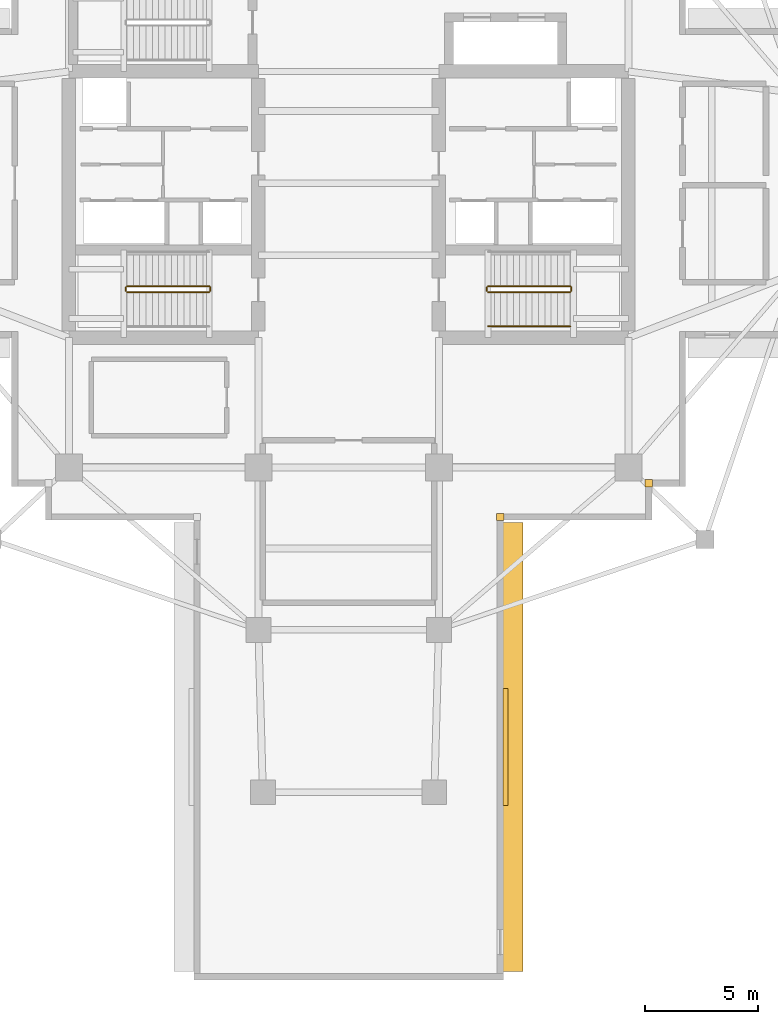
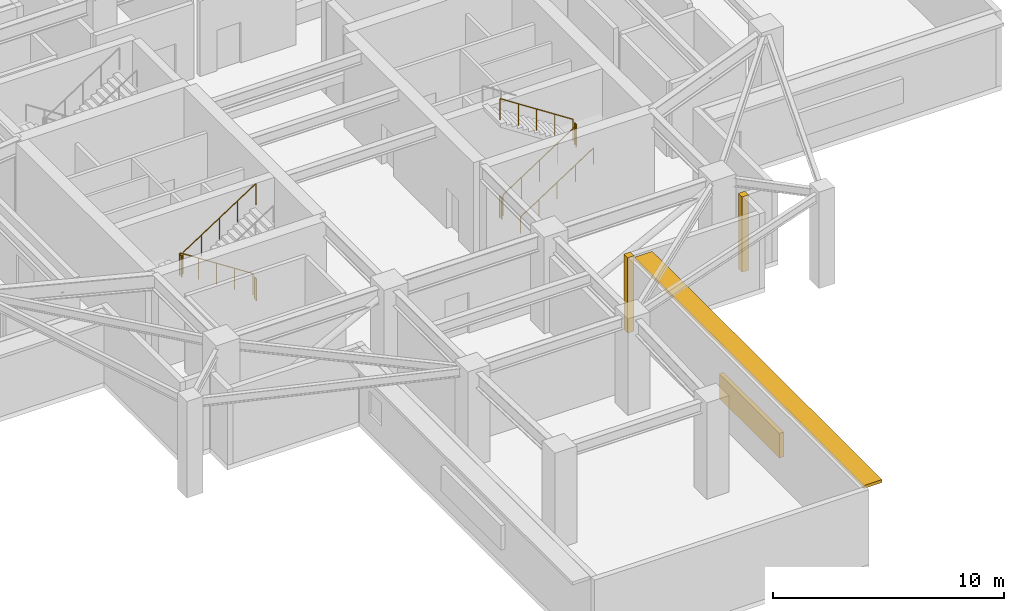
# One storey, part 8 of 11: 9 railings, 2 coverings, 2 shading devices.
"""IFC4 building model written with IfcOpenShell, lengths in metres."""

from ifc_helpers import new_model, si_unit, direction, frame, origin, origin_2d, place, context, subcontext, project, spatial, rectangle, circle, extrude, material, layer, layer_set, type_object, element, save


model = new_model("IFC4")

# Units and contexts
model_context = context("Model", 3, precision=1e-05, world=origin(), true_north=direction((0.0, 1.0)))
body_context = subcontext(model_context, "Body", "Model", "MODEL_VIEW")
ifc_project = project(units=[si_unit("LENGTHUNIT", "METRE"), si_unit("AREAUNIT", "SQUARE_METRE"), si_unit("VOLUMEUNIT", "CUBIC_METRE"), si_unit("PLANEANGLEUNIT", "RADIAN"), si_unit("MASSUNIT", "GRAM", prefix="KILO")], contexts=[model_context])

# Site, building, storey
site_placement = place(None, origin())
site = spatial("IfcSite", under=ifc_project, at=site_placement, CompositionType="ELEMENT")
building_placement = place(site_placement, origin())
building = spatial("IfcBuilding", under=site, at=building_placement, Name="Qingluan Cross Belvedere", CompositionType="ELEMENT")
storey_placement = place(building_placement, frame((0.0, 0.0, 143.699951171875)))
storey = spatial("IfcBuildingStorey", under=building, at=storey_placement, Name="L36", CompositionType="ELEMENT", Elevation=143.699951171875)

# Coverings
ifc_material_1 = material(Name="Precast concrete C45", Category="concrete")
ifc_layer_1 = layer(ifc_material_1, 0.1201171875, Name="ConcreteSpandrelCladding_120")
ifc_layer_set_1 = layer_set([ifc_layer_1], Name="Precast concrete C45")
covering_type = type_object("IfcCoveringType", Name="ConcreteSpandrelCladding_120", PredefinedType="CLADDING", material=ifc_layer_set_1)
for number, where, z_axis, x_axis, name in (
    (1, (13.300048828125, -13.300048828125, 0.0), (0.0, 0.0, 1.0), (1.0, 0.0, 0.0), "Corner closure L36-SE1"),
    (2, (6.719970703125, -14.800048828125, 0.0), (0.0, 0.0, 1.0), (1.0, 0.0, 0.0), "Corner closure L36-SE2"),
):
    element("IfcCovering", number, at=place(storey_placement, frame(where, z_axis=z_axis, x_axis=x_axis)), inside=storey, type_object=covering_type, Name=name, PredefinedType="CLADDING", context=body_context, shape_type="SweptSolid", body=[
        extrude(rectangle(XDim=0.320068359375, YDim=0.320068359375, at=origin_2d()), origin(), (0.0, 0.0, 1.0), 3.97998046875),
    ])

# Shading devices
ifc_material_2 = material(Name="Precast concrete C45", Category="concrete")
ifc_layer_2 = layer(ifc_material_2, 0.159912109375, Name="ConcreteSunshadeBand_900")
ifc_layer_set_2 = layer_set([ifc_layer_2], Name="Precast concrete C45")
shading_device_type_1 = type_object("IfcShadingDeviceType", Name="ConcreteSunshadeBand_900", PredefinedType="USERDEFINED", material=ifc_layer_set_2)
shading_device_1_placement = place(storey_placement, frame((7.2900390625, -24.989990234375, 3.80029296875), z_axis=(0.0, 0.0, 1.0), x_axis=(0.0, 1.0, 0.0)))
element("IfcShadingDevice", 3, at=shading_device_1_placement, inside=storey, type_object=shading_device_type_1, Name="Concrete SUNSHADE L36-SB", ObjectType="SUNSHADE", PredefinedType="USERDEFINED", context=body_context, shape_type="SweptSolid", body=[
    extrude(rectangle(XDim=19.89990234375, YDim=0.89990234375, at=origin_2d()), origin(), (0.0, 0.0, 1.0), 0.159912109375),
])
ifc_material_3 = material(Name="Anodised aluminium acoustic louvre screen", Category="aluminium")
ifc_layer_3 = layer(ifc_material_3, 0.219970703125, Name="RefugeAcousticLouvre_Screen")
ifc_layer_set_3 = layer_set([ifc_layer_3], Name="Anodised aluminium acoustic louvre screen")
shading_device_type_2 = type_object("IfcShadingDeviceType", Name="RefugeAcousticLouvre_Screen", PredefinedType="JALOUSIE", material=ifc_layer_set_3)
shading_device_2_placement = place(storey_placement, frame((6.9599609375, -24.989990234375, 0.9501953125), z_axis=(0.0, 0.0, 1.0), x_axis=(0.0, 1.0, 0.0)))
element("IfcShadingDevice", 4, at=shading_device_2_placement, inside=storey, type_object=shading_device_type_2, Name="Plant acoustic louvre SCREEN L36-SB", PredefinedType="JALOUSIE", context=body_context, shape_type="SweptSolid", body=[
    extrude(rectangle(XDim=5.199951171875, YDim=0.219970703125, at=origin_2d()), origin(), (0.0, 0.0, 1.0), 1.300048828125),
])

# Railings
ifc_material_4 = material(Name="Brushed stainless steel tubular handrail", Category="steel")
railing_type_1 = type_object("IfcRailingType", Name="StairPitchHandrail_900", PredefinedType="HANDRAIL", material=ifc_material_4)
railing_1_placement = place(storey_placement, frame((6.179931640625, -6.35009765625, 0.18212890625)))
element("IfcRailing", 5, at=railing_1_placement, inside=storey, type_object=railing_type_1, Name="L36 ST2 stair handrail 1", PredefinedType="HANDRAIL", context=body_context, shape_type="SweptSolid", body=[
    extrude(circle(Radius=0.02392578125, at=origin_2d()), frame((0.0, 0.0, 0.8759765625), z_axis=(0.83825089185, 0.0, 0.545284735081), x_axis=(0.0, 1.0, 0.0)), (0.0, 0.0, 1.0), 4.342529296875),
    extrude(circle(Radius=0.02099609375, at=origin_2d()), origin(), (0.0, 0.0, 1.0), 0.851806640625),
    extrude(circle(Radius=0.02099609375, at=origin_2d()), frame((0.91015625, 0.0, 0.592041015625)), (0.0, 0.0, 1.0), 0.851806640625),
    extrude(circle(Radius=0.02099609375, at=origin_2d()), frame((1.820068359375, 0.0, 1.18408203125)), (0.0, 0.0, 1.0), 0.851806640625),
    extrude(circle(Radius=0.02099609375, at=origin_2d()), frame((2.72998046875, 0.0, 1.77587890625)), (0.0, 0.0, 1.0), 0.851806640625),
    extrude(circle(Radius=0.02099609375, at=origin_2d()), frame((3.64013671875, 0.0, 2.367919921875)), (0.0, 0.0, 1.0), 0.851806640625),
])
ifc_material_5 = material(Name="Painted steel stair well guard", Category="steel")
railing_type_2 = type_object("IfcRailingType", Name="StairWellGuard_1150", PredefinedType="BALUSTRADE", material=ifc_material_5)
railing_2_placement = place(storey_placement, frame((-6.179931640625, -4.570068359375, 0.18212890625)))
element("IfcRailing", 6, at=railing_2_placement, inside=storey, type_object=railing_type_2, Name="L36 ST1 stair guard 1", PredefinedType="BALUSTRADE", context=body_context, shape_type="SweptSolid", body=[
    extrude(circle(Radius=0.02392578125, at=origin_2d()), frame((0.0, 0.0, 1.1259765625), z_axis=(-0.83825089185, 0.0, 0.545284735081), x_axis=(0.0, -1.0, 0.0)), (0.0, 0.0, 1.0), 4.342529296875),
    extrude(circle(Radius=0.02099609375, at=origin_2d()), origin(), (0.0, 0.0, 1.0), 1.101806640625),
    extrude(circle(Radius=0.02099609375, at=origin_2d()), frame((-0.91015625, 0.0, 0.592041015625)), (0.0, 0.0, 1.0), 1.101806640625),
    extrude(circle(Radius=0.02099609375, at=origin_2d()), frame((-1.820068359375, 0.0, 1.18408203125)), (0.0, 0.0, 1.0), 1.101806640625),
    extrude(circle(Radius=0.02099609375, at=origin_2d()), frame((-2.72998046875, 0.0, 1.77587890625)), (0.0, 0.0, 1.0), 1.101806640625),
    extrude(circle(Radius=0.02099609375, at=origin_2d()), frame((-3.64013671875, 0.0, 2.367919921875)), (0.0, 0.0, 1.0), 1.101806640625),
])
railing_3_placement = place(storey_placement, frame((-9.8701171875, -4.6201171875, 2.550048828125)))
element("IfcRailing", 7, at=railing_3_placement, inside=storey, type_object=railing_type_2, Name="L36 ST1 stair guard 2", PredefinedType="BALUSTRADE", context=body_context, shape_type="SweptSolid", body=[
    extrude(circle(Radius=0.02392578125, at=origin_2d()), frame((0.0, 0.0, 1.1259765625), z_axis=(0.0, -1.0, 0.0), x_axis=(1.0, 0.0, 0.0)), (0.0, 0.0, 1.0), 0.159912109375),
    extrude(circle(Radius=0.02099609375, at=origin_2d()), origin(), (0.0, 0.0, 1.0), 1.101806640625),
    extrude(circle(Radius=0.02099609375, at=origin_2d()), frame((0.0, -0.159912109375, 0.0)), (0.0, 0.0, 1.0), 1.101806640625),
])
railing_4_placement = place(storey_placement, frame((-9.820068359375, -4.830078125, 2.732177734375)))
element("IfcRailing", 8, at=railing_4_placement, inside=storey, type_object=railing_type_2, Name="L36 ST1 stair guard 3", PredefinedType="BALUSTRADE", context=body_context, shape_type="SweptSolid", body=[
    extrude(circle(Radius=0.02392578125, at=origin_2d()), frame((0.0, 0.0, 1.1259765625), z_axis=(0.83825089185, 0.0, 0.545284735081), x_axis=(0.0, 1.0, 0.0)), (0.0, 0.0, 1.0), 4.342529296875),
    extrude(circle(Radius=0.02099609375, at=origin_2d()), origin(), (0.0, 0.0, 1.0), 1.101806640625),
    extrude(circle(Radius=0.02099609375, at=origin_2d()), frame((0.91015625, 0.0, 0.592041015625)), (0.0, 0.0, 1.0), 1.101806640625),
    extrude(circle(Radius=0.02099609375, at=origin_2d()), frame((1.820068359375, 0.0, 1.18408203125)), (0.0, 0.0, 1.0), 1.101806640625),
    extrude(circle(Radius=0.02099609375, at=origin_2d()), frame((2.72998046875, 0.0, 1.77587890625)), (0.0, 0.0, 1.0), 1.101806640625),
    extrude(circle(Radius=0.02099609375, at=origin_2d()), frame((3.64013671875, 0.0, 2.367919921875)), (0.0, 0.0, 1.0), 1.101806640625),
])
railing_5_placement = place(storey_placement, frame((-6.1298828125, -4.6201171875, 0.0)))
element("IfcRailing", 9, at=railing_5_placement, inside=storey, type_object=railing_type_2, Name="L36 ST1 stair guard 4", PredefinedType="BALUSTRADE", context=body_context, shape_type="SweptSolid", body=[
    extrude(circle(Radius=0.02392578125, at=origin_2d()), frame((0.0, 0.0, 1.1259765625), z_axis=(0.0, -1.0, 0.0), x_axis=(1.0, 0.0, 0.0)), (0.0, 0.0, 1.0), 0.159912109375),
    extrude(circle(Radius=0.02099609375, at=origin_2d()), origin(), (0.0, 0.0, 1.0), 1.101806640625),
    extrude(circle(Radius=0.02099609375, at=origin_2d()), frame((0.0, -0.159912109375, 0.0)), (0.0, 0.0, 1.0), 1.101806640625),
])
railing_6_placement = place(storey_placement, frame((6.179931640625, -4.830078125, 0.18212890625)))
element("IfcRailing", 10, at=railing_6_placement, inside=storey, type_object=railing_type_2, Name="L36 ST2 stair guard 1", PredefinedType="BALUSTRADE", context=body_context, shape_type="SweptSolid", body=[
    extrude(circle(Radius=0.02392578125, at=origin_2d()), frame((0.0, 0.0, 1.1259765625), z_axis=(0.83825089185, 0.0, 0.545284735081), x_axis=(0.0, 1.0, 0.0)), (0.0, 0.0, 1.0), 4.342529296875),
    extrude(circle(Radius=0.02099609375, at=origin_2d()), origin(), (0.0, 0.0, 1.0), 1.101806640625),
    extrude(circle(Radius=0.02099609375, at=origin_2d()), frame((0.91015625, 0.0, 0.592041015625)), (0.0, 0.0, 1.0), 1.101806640625),
    extrude(circle(Radius=0.02099609375, at=origin_2d()), frame((1.820068359375, 0.0, 1.18408203125)), (0.0, 0.0, 1.0), 1.101806640625),
    extrude(circle(Radius=0.02099609375, at=origin_2d()), frame((2.72998046875, 0.0, 1.77587890625)), (0.0, 0.0, 1.0), 1.101806640625),
    extrude(circle(Radius=0.02099609375, at=origin_2d()), frame((3.64013671875, 0.0, 2.367919921875)), (0.0, 0.0, 1.0), 1.101806640625),
])
railing_7_placement = place(storey_placement, frame((9.8701171875, -4.780029296875, 2.550048828125)))
element("IfcRailing", 11, at=railing_7_placement, inside=storey, type_object=railing_type_2, Name="L36 ST2 stair guard 2", PredefinedType="BALUSTRADE", context=body_context, shape_type="SweptSolid", body=[
    extrude(circle(Radius=0.02392578125, at=origin_2d()), frame((0.0, 0.0, 1.1259765625), z_axis=(0.0, 1.0, 0.0), x_axis=(-1.0, 0.0, 0.0)), (0.0, 0.0, 1.0), 0.159912109375),
    extrude(circle(Radius=0.02099609375, at=origin_2d()), origin(), (0.0, 0.0, 1.0), 1.101806640625),
    extrude(circle(Radius=0.02099609375, at=origin_2d()), frame((0.0, 0.159912109375, 0.0)), (0.0, 0.0, 1.0), 1.101806640625),
])
railing_8_placement = place(storey_placement, frame((9.820068359375, -4.570068359375, 2.732177734375)))
element("IfcRailing", 12, at=railing_8_placement, inside=storey, type_object=railing_type_2, Name="L36 ST2 stair guard 3", PredefinedType="BALUSTRADE", context=body_context, shape_type="SweptSolid", body=[
    extrude(circle(Radius=0.02392578125, at=origin_2d()), frame((0.0, 0.0, 1.1259765625), z_axis=(-0.83825089185, 0.0, 0.545284735081), x_axis=(0.0, -1.0, 0.0)), (0.0, 0.0, 1.0), 4.342529296875),
    extrude(circle(Radius=0.02099609375, at=origin_2d()), origin(), (0.0, 0.0, 1.0), 1.101806640625),
    extrude(circle(Radius=0.02099609375, at=origin_2d()), frame((-0.91015625, 0.0, 0.592041015625)), (0.0, 0.0, 1.0), 1.101806640625),
    extrude(circle(Radius=0.02099609375, at=origin_2d()), frame((-1.820068359375, 0.0, 1.18408203125)), (0.0, 0.0, 1.0), 1.101806640625),
    extrude(circle(Radius=0.02099609375, at=origin_2d()), frame((-2.72998046875, 0.0, 1.77587890625)), (0.0, 0.0, 1.0), 1.101806640625),
    extrude(circle(Radius=0.02099609375, at=origin_2d()), frame((-3.64013671875, 0.0, 2.367919921875)), (0.0, 0.0, 1.0), 1.101806640625),
])
railing_9_placement = place(storey_placement, frame((6.1298828125, -4.780029296875, 0.0)))
element("IfcRailing", 13, at=railing_9_placement, inside=storey, type_object=railing_type_2, Name="L36 ST2 stair guard 4", PredefinedType="BALUSTRADE", context=body_context, shape_type="SweptSolid", body=[
    extrude(circle(Radius=0.02392578125, at=origin_2d()), frame((0.0, 0.0, 1.1259765625), z_axis=(0.0, 1.0, 0.0), x_axis=(-1.0, 0.0, 0.0)), (0.0, 0.0, 1.0), 0.159912109375),
    extrude(circle(Radius=0.02099609375, at=origin_2d()), origin(), (0.0, 0.0, 1.0), 1.101806640625),
    extrude(circle(Radius=0.02099609375, at=origin_2d()), frame((0.0, 0.159912109375, 0.0)), (0.0, 0.0, 1.0), 1.101806640625),
])

save(model, "model.ifc")
